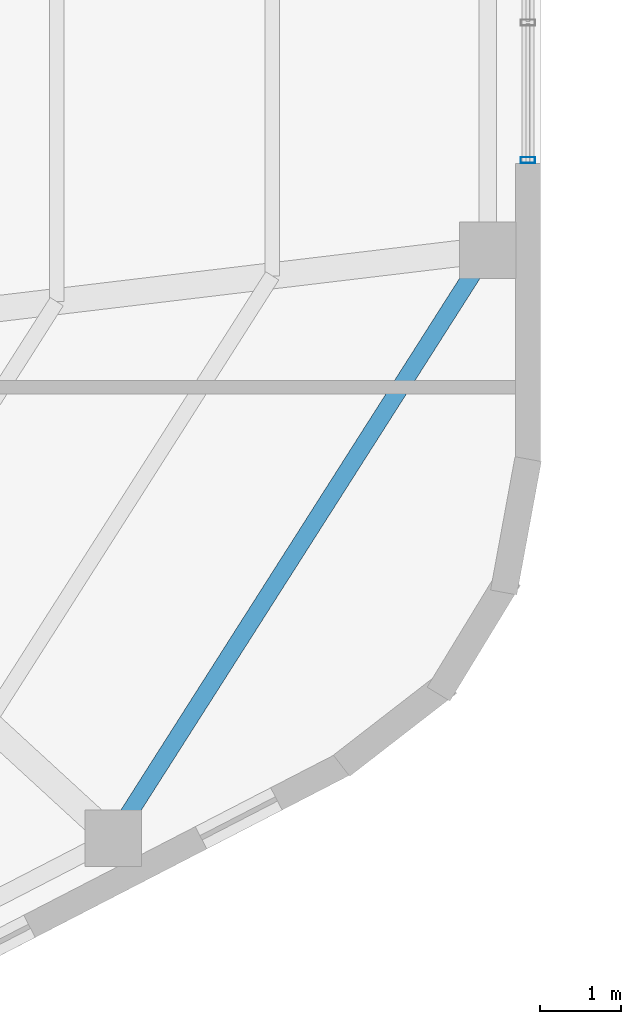
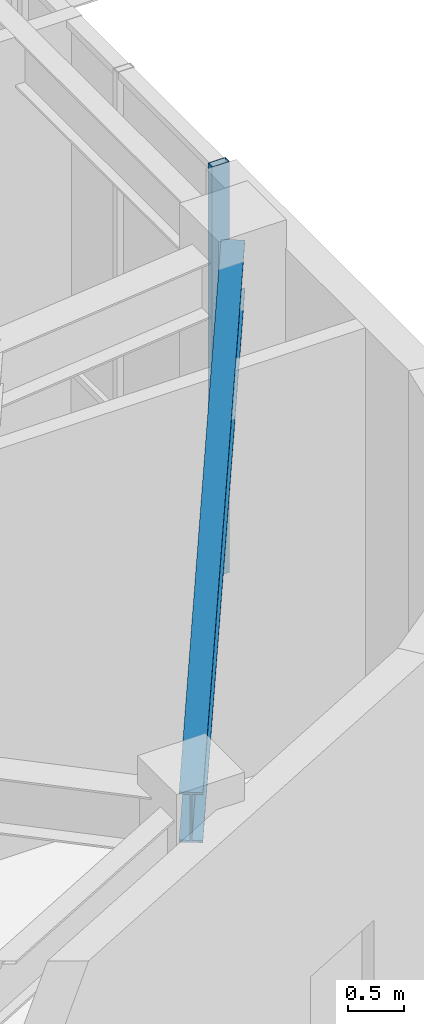
# One storey, part 9 of 18: 1 beam, 1 member, 1 element without a shape of its own.
"""IFC4 building model written with IfcOpenShell, lengths in metres."""

from ifc_helpers import new_model, si_unit, direction, frame, origin, origin_2d, place, context, subcontext, project, spatial, hollow_rectangle, i_section, extrude, material, layer, layer_set, material_profile, profile_set, type_object, element, aggregate, save


model = new_model("IFC4")

# Units and contexts
model_context = context("Model", 3, precision=1e-05, world=origin(), true_north=direction((0.0, 1.0)))
body_context = subcontext(model_context, "Body", "Model", "MODEL_VIEW")
ifc_project = project(units=[si_unit("LENGTHUNIT", "METRE"), si_unit("AREAUNIT", "SQUARE_METRE"), si_unit("VOLUMEUNIT", "CUBIC_METRE"), si_unit("PLANEANGLEUNIT", "RADIAN"), si_unit("MASSUNIT", "GRAM", prefix="KILO"), si_unit("THERMODYNAMICTEMPERATUREUNIT", "KELVIN"), si_unit("POWERUNIT", "WATT")], contexts=[model_context])

# Site, building, storey
site_placement = place(None, origin())
site = spatial("IfcSite", under=ifc_project, at=site_placement, CompositionType="ELEMENT")
building_placement = place(site_placement, origin())
building = spatial("IfcBuilding", under=site, at=building_placement, Name="Skarre Station Tower", CompositionType="ELEMENT")
storey_placement = place(building_placement, frame((0.0, 0.0, 270.300048828125)))
storey = spatial("IfcBuildingStorey", under=building, at=storey_placement, Name="L74", CompositionType="ELEMENT", Elevation=270.300048828125)

# Curtain wall, member
ifc_material_1 = material(Name="Thermally Broken Bronze-Anodized Aluminium & Triple Low-E Glass", Category="aluminium")
ifc_layer = layer(ifc_material_1, 0.219970703125, Name="Thermally Broken Bronze-Anodized Aluminium & Triple Low-E Glass")
ifc_layer_set = layer_set([ifc_layer], Name="Thermally Broken Bronze-Anodized Aluminium & Triple Low-E Glass")
curtain_wall_type = type_object("IfcCurtainWallType", Name="Observation Deck Panorama Unitised Curtain Wall", PredefinedType="NOTDEFINED", material=ifc_layer_set)
curtain_wall_placement = place(storey_placement, origin())
curtain_wall = element("IfcCurtainWall", 1, at=curtain_wall_placement, inside=storey, type_object=curtain_wall_type, Name="L74 Facet 5 Observatory Curtain Wall", PredefinedType="NOTDEFINED")
ifc_material_2 = material(Name="Anodized Aluminium 6063-T6", Category="aluminium")
ifc_material_profile_1 = material_profile(ifc_material_2, hollow_rectangle(XDim=0.074951171875, YDim=0.179931640625, WallThickness=0.00390625, at=origin_2d()), Name="Anodized Aluminium 6063-T6")
ifc_profile_set_1 = profile_set([ifc_material_profile_1], Name="Anodized Aluminium 6063-T6")
member_type = type_object("IfcMemberType", Name="Curtain-Wall Unitised Tower Mullion 180x75", PredefinedType="MULLION", material=ifc_profile_set_1)
member_placement = place(storey_placement, frame((51.05810546875, 21.091064453125, 0.0), z_axis=(0.0, 0.0, 1.0), x_axis=(0.0, -1.0, 0.0)))
member = element("IfcMember", 2, at=member_placement, type_object=member_type, Name="L74 Facet 5 Observatory Curtain Wall Mullion 3", PredefinedType="MULLION", context=body_context, shape_type="SweptSolid", body=[
    extrude(hollow_rectangle(XDim=0.074951171875, YDim=0.179931640625, WallThickness=0.00390625, at=origin_2d()), origin(), (0.0, 0.0, 1.0), 4.489990234375),
])
aggregate(curtain_wall, [member])

# Beam
ifc_material_3 = material(Name="Steel ASTM A992 Grade 50", Category="steel")
ifc_material_profile_2 = material_profile(ifc_material_3, i_section(OverallWidth=0.214111328125, OverallDepth=0.549072265625, WebThickness=0.014892578125, FlangeThickness=0.02392578125, at=origin_2d()), Name="Steel ASTM A992 Grade 50")
ifc_profile_set_2 = profile_set([ifc_material_profile_2], Name="Steel ASTM A992 Grade 50")
beam_type = type_object("IfcBeamType", Name="Steel Spandrel W21X93", PredefinedType="SPANDREL", material=ifc_profile_set_2)
beam_placement = place(storey_placement, frame((45.927001953125, 12.701904296875, 4.216064453125), z_axis=(0.537296523663, 0.843393410965, 0.0), x_axis=(-0.843393410965, 0.537296523663, 0.0)))
element("IfcBeam", 3, at=beam_placement, inside=storey, type_object=beam_type, Name="L74 Facet Spandrel Beam 10", PredefinedType="SPANDREL", context=body_context, shape_type="SweptSolid", body=[
    extrude(i_section(OverallWidth=0.214111328125, OverallDepth=0.549072265625, WebThickness=0.014892578125, FlangeThickness=0.02392578125, at=origin_2d()), origin(), (0.0, 0.0, 1.0), 8.62841796875),
])

save(model, "model.ifc")
